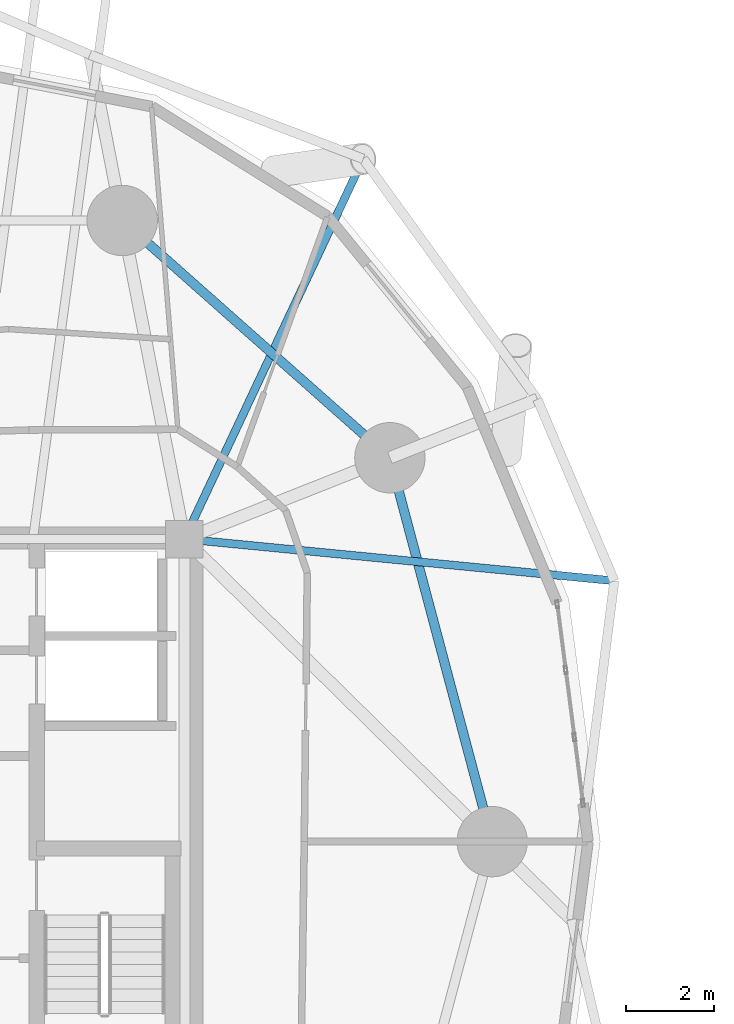
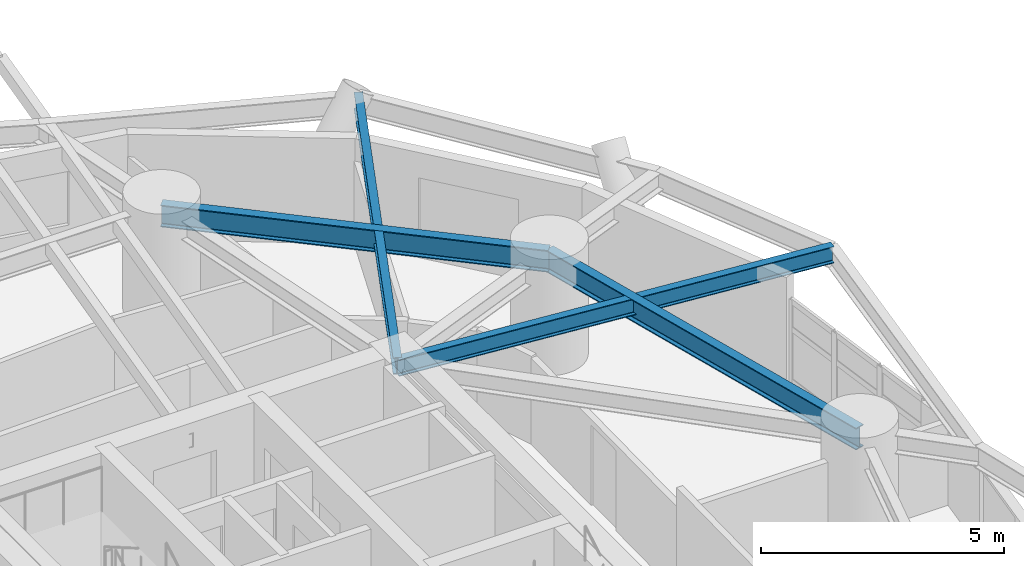
# One storey, part 3 of 17: 4 beams.
"""IFC4 building model written with IfcOpenShell, lengths in metres."""

from ifc_helpers import new_model, si_unit, direction, frame, origin, origin_2d, place, context, subcontext, project, spatial, i_section, extrude, material, material_profile, profile_set, type_object, element, save


model = new_model("IFC4")

# Units and contexts
model_context = context("Model", 3, precision=1e-05, world=origin(), true_north=direction((0.0, 1.0)))
body_context = subcontext(model_context, "Body", "Model", "MODEL_VIEW")
ifc_project = project(units=[si_unit("LENGTHUNIT", "METRE"), si_unit("AREAUNIT", "SQUARE_METRE"), si_unit("VOLUMEUNIT", "CUBIC_METRE"), si_unit("PLANEANGLEUNIT", "RADIAN"), si_unit("MASSUNIT", "GRAM", prefix="KILO")], contexts=[model_context])

# Site, building, storey
site_placement = place(None, origin())
site = spatial("IfcSite", under=ifc_project, at=site_placement, CompositionType="ELEMENT")
building_placement = place(site_placement, origin())
building = spatial("IfcBuilding", under=site, at=building_placement, Name="Cununo Teusaquillo Station Towers", CompositionType="ELEMENT")
storey_placement = place(building_placement, frame((0.0, 0.0, 27.820068359375)))
storey = spatial("IfcBuildingStorey", under=building, at=storey_placement, Name="L07", CompositionType="ELEMENT", Elevation=27.820068359375)

# Beams
ifc_material_1 = material(Name="Steel ASTM A572 Grade 50", Category="steel")
ifc_material_profile_1 = material_profile(ifc_material_1, i_section(OverallWidth=0.180908203125, OverallDepth=0.4169921875, WebThickness=0.010986328125, FlangeThickness=0.018310546875, FilletRadius=0.012939453125, at=origin_2d()), Name="W16X57")
ifc_profile_set_1 = profile_set([ifc_material_profile_1], Name="Steel ASTM A572 Grade 50")
beam_type_1 = type_object("IfcBeamType", Name="BM-JOIST-1", PredefinedType="JOIST", material=ifc_profile_set_1)
beam_1_placement = place(storey_placement, frame((21.675048828125, 31.3798828125, 2.44140625), z_axis=(0.995310719276, -0.096729375545, 0.0), x_axis=(0.096729375545, 0.995310719276, 0.0)))
element("IfcBeam", 1, at=beam_1_placement, inside=storey, type_object=beam_type_1, Name="L07 Tower A Radial Spandrel Joist V01", PredefinedType="JOIST", context=body_context, shape_type="SweptSolid", body=[
    extrude(i_section(OverallWidth=0.180908203125, OverallDepth=0.4169921875, WebThickness=0.010986328125, FlangeThickness=0.018310546875, FilletRadius=0.012939453125, at=origin_2d()), origin(), (0.0, 0.0, 1.0), 9.82080078125),
])
beam_2_placement = place(storey_placement, frame((21.675048828125, 31.3798828125, 2.44140625), z_axis=(0.425472080871, 0.904971551155, 0.0), x_axis=(-0.904971551155, 0.425472080871, 0.0)))
element("IfcBeam", 2, at=beam_2_placement, inside=storey, type_object=beam_type_1, Name="L07 Tower A Radial Spandrel Joist V03", PredefinedType="JOIST", context=body_context, shape_type="SweptSolid", body=[
    extrude(i_section(OverallWidth=0.180908203125, OverallDepth=0.4169921875, WebThickness=0.010986328125, FlangeThickness=0.018310546875, FilletRadius=0.012939453125, at=origin_2d()), origin(), (0.0, 0.0, 1.0), 9.552734375),
])
ifc_material_2 = material(Name="Steel ASTM A572 Grade 50", Category="steel")
ifc_material_profile_2 = material_profile(ifc_material_2, i_section(OverallWidth=0.214111328125, OverallDepth=0.549072265625, WebThickness=0.0146484375, FlangeThickness=0.023681640625, FilletRadius=0.014892578125, at=origin_2d()), Name="W21X93")
ifc_profile_set_2 = profile_set([ifc_material_profile_2], Name="Steel ASTM A572 Grade 50")
beam_type_2 = type_object("IfcBeamType", Name="BM-RING-Z1", PredefinedType="SPANDREL", material=ifc_profile_set_2)
beam_3_placement = place(storey_placement, frame((28.672119140625, 24.5, 2.37548828125), z_axis=(-0.257363196347, 0.966314744359, 0.0), x_axis=(-0.966314744359, -0.257363196347, 0.0)))
element("IfcBeam", 3, at=beam_3_placement, inside=storey, type_object=beam_type_2, Name="L07 Tower A Structural Column Ring Girder 01", PredefinedType="SPANDREL", context=body_context, shape_type="SweptSolid", body=[
    extrude(i_section(OverallWidth=0.214111328125, OverallDepth=0.549072265625, WebThickness=0.0146484375, FlangeThickness=0.023681640625, FilletRadius=0.014892578125, at=origin_2d()), origin(), (0.0, 0.0, 1.0), 9.03271484375),
])
beam_4_placement = place(storey_placement, frame((26.347412109375, 33.228515625, 2.37548828125), z_axis=(-0.74832120039, 0.66333655187, 0.0), x_axis=(-0.66333655187, -0.74832120039, 0.0)))
element("IfcBeam", 4, at=beam_4_placement, inside=storey, type_object=beam_type_2, Name="L07 Tower A Structural Column Ring Girder 02", PredefinedType="SPANDREL", context=body_context, shape_type="SweptSolid", body=[
    extrude(i_section(OverallWidth=0.214111328125, OverallDepth=0.549072265625, WebThickness=0.0146484375, FlangeThickness=0.023681640625, FilletRadius=0.014892578125, at=origin_2d()), origin(), (0.0, 0.0, 1.0), 8.1328125),
])

save(model, "model.ifc")
